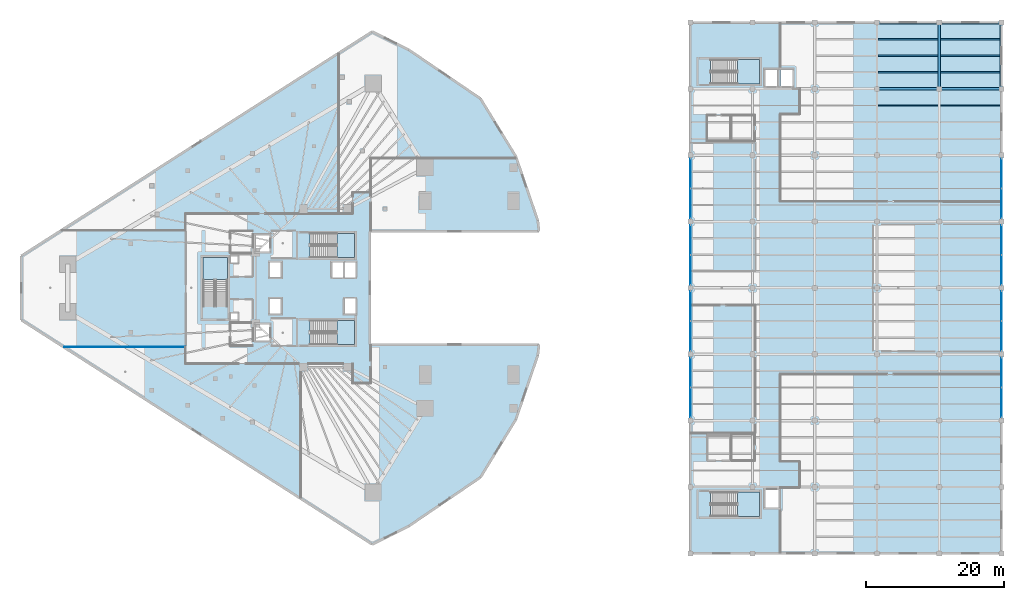
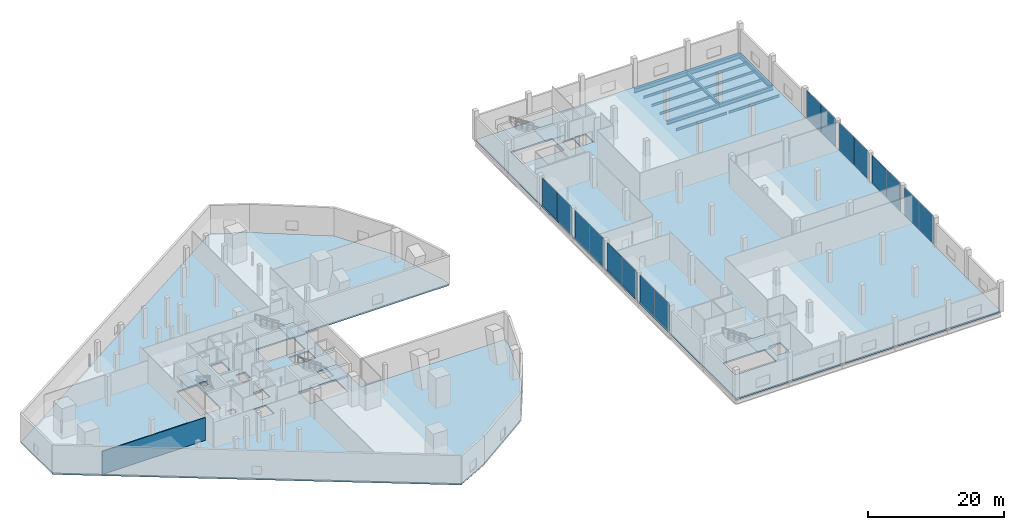
# One storey, part 25 of 47: 16 plates, 14 beams, 7 slabs, 1 wall, 13 elements without a shape of their own.
"""IFC4 building model written with IfcOpenShell, lengths in metres."""

import ifcopenshell
import ifcopenshell.guid

model = None  # the IFC model being written
_history = None  # IfcOwnerHistory: only IFC2X3 demands one
_inside = {}  # id of a spatial element -> (the spatial element, [elements in it])
_under = {}  # id of a project, library or spatial element -> (it, [spatial elements below it])
_declared = {}  # id of a project -> (the project, [libraries it declares])
_typed = {}  # id of a type object -> (the type object, [elements of that type])
_made_of = {}  # id of a material, layer set ... -> (it, [elements and type objects made of it])


def new_model(schema):
    """Start an empty IFC model of exactly this schema.

    Asked for "IFC4X3", IfcOpenShell would pick the latest addendum, in which some entities
    have other attributes; the version numbers below select the first issue.
    IFC2X3 requires an IfcOwnerHistory on every rooted entity: one is made here for all.
    """
    global model, _history
    if schema == "IFC4X3":
        model = ifcopenshell.file(schema_version=(4, 3, 0, 0))
    else:
        model = ifcopenshell.file(schema=schema)
    _inside.clear()
    _under.clear()
    _declared.clear()
    _typed.clear()
    _made_of.clear()
    _history = None
    if model.schema == "IFC2X3":
        org = make("IfcOrganization", Name="unknown")
        user = make(
            "IfcPersonAndOrganization",
            ThePerson=make("IfcPerson", FamilyName="unknown"),
            TheOrganization=org,
        )
        app = make(
            "IfcApplication",
            ApplicationDeveloper=org,
            Version="unknown",
            ApplicationFullName="unknown",
            ApplicationIdentifier="unknown",
        )
        _history = make(
            "IfcOwnerHistory",
            OwningUser=user,
            OwningApplication=app,
            ChangeAction="ADDED",
            CreationDate=0,
        )
    return model


def make(cls, **values):
    """One entity of the class cls with the attributes given. An attribute that is None is left unset."""
    return model.create_entity(
        cls, **{name: value for name, value in values.items() if value is not None}
    )


def rooted(cls, **values):
    """An entity with a GlobalId (a new one), such as an element, a storey or a relation."""
    return make(cls, GlobalId=ifcopenshell.guid.new(), OwnerHistory=_history, **values)


def si_unit(unit_type, name, prefix=None):
    """IfcSIUnit, for example si_unit("LENGTHUNIT", "METRE", prefix="MILLI")."""
    return make("IfcSIUnit", UnitType=unit_type, Prefix=prefix, Name=name)


def assignment(units):
    """IfcUnitAssignment: the units of a project."""
    return None if units is None else make("IfcUnitAssignment", Units=units)


def point(xyz):
    """IfcCartesianPoint."""
    return None if xyz is None else make("IfcCartesianPoint", Coordinates=xyz)


def direction(xyz):
    """IfcDirection."""
    return None if xyz is None else make("IfcDirection", DirectionRatios=xyz)


def frame(location, z_axis=None, x_axis=None):
    """IfcAxis2Placement3D, a coordinate frame: its origin and axes. An axis left out is left unset."""
    return make(
        "IfcAxis2Placement3D",
        Location=point(location),
        Axis=direction(z_axis),
        RefDirection=direction(x_axis),
    )


def frame_2d(location, x_axis=None):
    """IfcAxis2Placement2D, a coordinate frame in the plane: its origin and x axis."""
    return make(
        "IfcAxis2Placement2D", Location=point(location), RefDirection=direction(x_axis)
    )


def origin():
    """The frame at (0, 0, 0) with its axes left unset."""
    return frame((0.0, 0.0, 0.0))


def origin_2d():
    """The frame at (0, 0) in the plane with its x axis left unset."""
    return frame_2d((0.0, 0.0))


def place(relative_to, where):
    """IfcLocalPlacement: puts the frame where relative to a parent placement (None: the world)."""
    return make(
        "IfcLocalPlacement", PlacementRelTo=relative_to, RelativePlacement=where
    )


def context(
    kind, dimensions, precision=None, world=None, true_north=None, identifier=None
):
    """IfcGeometricRepresentationContext, for example the 3D "Model" context."""
    return make(
        "IfcGeometricRepresentationContext",
        ContextIdentifier=identifier,
        ContextType=kind,
        CoordinateSpaceDimension=dimensions,
        Precision=precision,
        WorldCoordinateSystem=world,
        TrueNorth=true_north,
    )


def subcontext(parent, identifier, kind, view, scale=None):
    """IfcGeometricRepresentationSubContext, for example "Body" below "Model"."""
    return make(
        "IfcGeometricRepresentationSubContext",
        ContextIdentifier=identifier,
        ContextType=kind,
        ParentContext=parent,
        TargetScale=scale,
        TargetView=view,
    )


def project(units=None, contexts=None):
    """IfcProject with its units and contexts."""
    return rooted(
        "IfcProject",
        Name="project",
        RepresentationContexts=contexts,
        UnitsInContext=assignment(units),
    )


def spatial(cls, under=None, at=None, **own):
    """A site, building, storey or space (cls), placed at a placement, below another one or the project."""
    s = rooted(cls, ObjectPlacement=at, **own)
    if under is not None:
        _under.setdefault(under.id(), (under, []))[1].append(s)
    return s


def polyline(points):
    """IfcPolyline through the points."""
    return make("IfcPolyline", Points=[point(p) for p in points])


def profile(cls, at=None, kind="AREA", **sizes):
    """A parametric profile (cls). Its sizes go by their IFC names, for example OverallWidth=200.0."""
    return make(cls, ProfileType=kind, Position=at, **sizes)


def rectangle(**sizes):
    """IfcRectangleProfileDef."""
    return profile("IfcRectangleProfileDef", **sizes)


def i_section(**sizes):
    """IfcIShapeProfileDef."""
    return profile("IfcIShapeProfileDef", **sizes)


def outline(outer, holes=None, kind="AREA"):
    """IfcArbitraryClosedProfileDef: a profile drawn as a closed curve; with holes, ...WithVoids."""
    if holes is None:
        return make("IfcArbitraryClosedProfileDef", ProfileType=kind, OuterCurve=outer)
    return make(
        "IfcArbitraryProfileDefWithVoids",
        ProfileType=kind,
        OuterCurve=outer,
        InnerCurves=holes,
    )


def extrude(swept, where, along, depth):
    """IfcExtrudedAreaSolid: the profile swept, set in the frame where, extruded along a direction by depth."""
    return make(
        "IfcExtrudedAreaSolid",
        SweptArea=swept,
        Position=where,
        ExtrudedDirection=direction(along),
        Depth=depth,
    )


def shape(context_of_items, identifier, shape_type, items):
    """IfcShapeRepresentation: the items that make up one representation, for example the "Body"."""
    return make(
        "IfcShapeRepresentation",
        ContextOfItems=context_of_items,
        RepresentationIdentifier=identifier,
        RepresentationType=shape_type,
        Items=items,
    )


def material(Name=None, Category=None):
    """IfcMaterial."""
    return make("IfcMaterial", Name=Name, Category=Category)


def layer(
    of_material, thickness, ventilated=None, Name=None, Category=None, Priority=None
):
    """IfcMaterialLayer: one layer of a wall or slab, of a material (None: an air gap)."""
    return make(
        "IfcMaterialLayer",
        Material=of_material,
        LayerThickness=thickness,
        IsVentilated=ventilated,
        Name=Name,
        Category=Category,
        Priority=Priority,
    )


def layer_set(layers, Name=None):
    """IfcMaterialLayerSet."""
    return make("IfcMaterialLayerSet", MaterialLayers=layers, LayerSetName=Name)


def material_profile(
    of_material, cross_section, Name=None, Category=None, Priority=None
):
    """IfcMaterialProfile: a cross section and its material."""
    return make(
        "IfcMaterialProfile",
        Name=Name,
        Material=of_material,
        Profile=cross_section,
        Priority=Priority,
        Category=Category,
    )


def profile_set(profiles, Name=None, composite=None):
    """IfcMaterialProfileSet."""
    return make(
        "IfcMaterialProfileSet",
        Name=Name,
        MaterialProfiles=profiles,
        CompositeProfile=composite,
    )


def made_of(thing, what):
    """Note that an element or type object is made of a material, layer set ...; save() writes the relation."""
    if what is not None:
        _made_of.setdefault(what.id(), (what, []))[1].append(thing)
    return thing


def type_object(cls, material=None, **own):
    """A type object (cls), such as IfcWallType, which elements share."""
    return made_of(rooted(cls, **own), material)


def element(
    cls,
    number,
    at=None,
    inside=None,
    cuts=None,
    type_object=None,
    material=None,
    context=None,
    identifier="Body",
    shape_type=None,
    held_by="IfcProductDefinitionShape",
    body=None,
    shapes=None,
    **own,
):
    """One element of the class cls, such as IfcWall. Its Tag is "e" and its number.

    at: its placement. inside: the storey or other place that contains it. cuts: it is an
    opening in that element (IfcRelVoidsElement). A single representation is given by context,
    identifier, shape_type and body (its items); several are given by shapes. held_by: the class
    of the entity that holds the representations. save() writes the other relations.
    """
    e = rooted(cls, Tag="e%d" % number, ObjectPlacement=at, **own)
    if body is not None:
        shapes = [shape(context, identifier, shape_type, body)]
    if shapes is not None:
        e.Representation = make(held_by, Representations=shapes)
    if inside is not None:
        _inside.setdefault(inside.id(), (inside, []))[1].append(e)
    if cuts is not None:
        rooted(
            "IfcRelVoidsElement", RelatingBuildingElement=cuts, RelatedOpeningElement=e
        )
    if type_object is not None:
        _typed.setdefault(type_object.id(), (type_object, []))[1].append(e)
    return made_of(e, material)


def aggregate(whole, parts):
    """IfcRelAggregates: a whole, such as a stair, and the parts it consists of."""
    return rooted("IfcRelAggregates", RelatingObject=whole, RelatedObjects=parts)


def save(model, path):
    """Write the relations noted so far, then the file.

    IfcRelAggregates (storeys below a building ...), IfcRelContainedInSpatialStructure (elements
    in a storey), IfcRelDefinesByType, IfcRelAssociatesMaterial and IfcRelDeclares: one each for
    every whole, place, type object, material and project.
    """
    for whole, parts in _under.values():
        aggregate(whole, parts)
    for where, things in _inside.values():
        rooted(
            "IfcRelContainedInSpatialStructure",
            RelatedElements=things,
            RelatingStructure=where,
        )
    for kind, things in _typed.values():
        rooted("IfcRelDefinesByType", RelatedObjects=things, RelatingType=kind)
    for what, things in _made_of.values():
        rooted("IfcRelAssociatesMaterial", RelatedObjects=things, RelatingMaterial=what)
    for by, libraries in _declared.values():
        rooted("IfcRelDeclares", RelatingContext=by, RelatedDefinitions=libraries)
    model.write(path)


model = new_model("IFC4")

# Units and contexts
model_context = context("Model", 3, precision=1e-05, world=origin(), true_north=direction((0.0, 1.0)))
body_context = subcontext(model_context, "Body", "Model", "MODEL_VIEW")
ifc_project = project(units=[si_unit("LENGTHUNIT", "METRE"), si_unit("AREAUNIT", "SQUARE_METRE"), si_unit("VOLUMEUNIT", "CUBIC_METRE"), si_unit("PLANEANGLEUNIT", "RADIAN"), si_unit("MASSUNIT", "GRAM", prefix="KILO")], contexts=[model_context])

# Site, building, storey
site_placement = place(None, origin())
site = spatial("IfcSite", under=ifc_project, at=site_placement, CompositionType="ELEMENT")
building_placement = place(site_placement, origin())
building = spatial("IfcBuilding", under=site, at=building_placement, Name="Qorvath Tower", CompositionType="ELEMENT")
storey_placement = place(building_placement, frame((0.0, 0.0, 6.60009765625)))
storey = spatial("IfcBuildingStorey", under=building, at=storey_placement, Name="L01", CompositionType="ELEMENT", Elevation=6.60009765625)

# Beams
ifc_material_1 = material(Name="Steel ASTM A992 Grade 50", Category="steel")
ifc_material_profile_1 = material_profile(ifc_material_1, i_section(OverallWidth=0.381103515625, OverallDepth=0.77294921875, WebThickness=0.0166015625, FlangeThickness=0.027099609375, FilletRadius=0.01904296875, at=origin_2d()), Name="W30x173")
ifc_profile_set_1 = profile_set([ifc_material_profile_1], Name="Steel ASTM A992 Grade 50")
beam_type_1 = type_object("IfcBeamType", Name="BM-FG3", PredefinedType="BEAM", material=ifc_profile_set_1)
for number, where, z_axis, x_axis, name in (
    (1, (59.39990234375, 38.39990234375, -0.646484375), (1.0, 0.0, 0.0), (0.0, 1.0, 0.0), "Library E-W Girder L01-9-4"),
    (2, (68.39990234375, 38.39990234375, -0.646484375), (1.0, 0.0, 0.0), (0.0, 1.0, 0.0), "Library E-W Girder L01-9-5"),
):
    element("IfcBeam", number, at=place(storey_placement, frame(where, z_axis=z_axis, x_axis=x_axis)), inside=storey, type_object=beam_type_1, Name=name, PredefinedType="BEAM", context=body_context, shape_type="SweptSolid", body=[
        extrude(i_section(OverallWidth=0.381103515625, OverallDepth=0.77294921875, WebThickness=0.0166015625, FlangeThickness=0.027099609375, FilletRadius=0.01904296875, at=origin_2d()), origin(), (0.0, 0.0, 1.0), 9.0),
    ])
beam_1_placement = place(storey_placement, frame((77.39990234375, 28.800048828125, -0.646484375), z_axis=(0.0, 1.0, 0.0), x_axis=(-1.0, 0.0, 0.0)))
element("IfcBeam", 3, at=beam_1_placement, inside=storey, type_object=beam_type_1, Name="Library N-S Girder L01-6-8", PredefinedType="BEAM", context=body_context, shape_type="SweptSolid", body=[
    extrude(i_section(OverallWidth=0.381103515625, OverallDepth=0.77294921875, WebThickness=0.0166015625, FlangeThickness=0.027099609375, FilletRadius=0.01904296875, at=origin_2d()), origin(), (0.0, 0.0, 1.0), 9.599853515625),
])
ifc_material_2 = material(Name="Steel ASTM A992 Grade 50", Category="steel")
ifc_material_profile_2 = material_profile(ifc_material_2, i_section(OverallWidth=0.35595703125, OverallDepth=0.696044921875, WebThickness=0.015380859375, FlangeThickness=0.02490234375, FilletRadius=0.01806640625, at=origin_2d()), Name="W27x146")
ifc_profile_set_2 = profile_set([ifc_material_profile_2], Name="Steel ASTM A992 Grade 50")
beam_type_2 = type_object("IfcBeamType", Name="BM-FG4", PredefinedType="BEAM", material=ifc_profile_set_2)
for number, where, z_axis, x_axis, name in (
    (4, (59.39990234375, 28.800048828125, -0.60791015625), (1.0, 0.0, 0.0), (0.0, 1.0, 0.0), "Library E-W Girder L01-8-4"),
    (5, (68.39990234375, 28.800048828125, -0.60791015625), (1.0, 0.0, 0.0), (0.0, 1.0, 0.0), "Library E-W Girder L01-8-5"),
):
    element("IfcBeam", number, at=place(storey_placement, frame(where, z_axis=z_axis, x_axis=x_axis)), inside=storey, type_object=beam_type_2, Name=name, PredefinedType="BEAM", context=body_context, shape_type="SweptSolid", body=[
        extrude(i_section(OverallWidth=0.35595703125, OverallDepth=0.696044921875, WebThickness=0.015380859375, FlangeThickness=0.02490234375, FilletRadius=0.01806640625, at=origin_2d()), origin(), (0.0, 0.0, 1.0), 9.0),
    ])
ifc_material_3 = material(Name="Steel ASTM A992 Grade 50", Category="steel")
ifc_material_profile_3 = material_profile(ifc_material_3, i_section(OverallWidth=0.324951171875, OverallDepth=0.615966796875, WebThickness=0.013916015625, FlangeThickness=0.021484375, FilletRadius=0.01611328125, at=origin_2d()), Name="W24x117")
ifc_profile_set_3 = profile_set([ifc_material_profile_3], Name="Steel ASTM A992 Grade 50")
beam_type_3 = type_object("IfcBeamType", Name="BM-FG5", PredefinedType="BEAM", material=ifc_profile_set_3)
beam_2_placement = place(storey_placement, frame((68.39990234375, 28.800048828125, -0.568115234375), z_axis=(0.0, 1.0, 0.0), x_axis=(-1.0, 0.0, 0.0)))
element("IfcBeam", 6, at=beam_2_placement, inside=storey, type_object=beam_type_3, Name="Library N-S Girder L01-5-8", PredefinedType="BEAM", context=body_context, shape_type="SweptSolid", body=[
    extrude(i_section(OverallWidth=0.324951171875, OverallDepth=0.615966796875, WebThickness=0.013916015625, FlangeThickness=0.021484375, FilletRadius=0.01611328125, at=origin_2d()), origin(), (0.0, 0.0, 1.0), 9.599853515625),
])
ifc_material_4 = material(Name="Steel ASTM A992 Grade 50", Category="steel")
ifc_material_profile_4 = material_profile(ifc_material_4, i_section(OverallWidth=0.18994140625, OverallDepth=0.45703125, WebThickness=0.009033203125, FlangeThickness=0.014404296875, FilletRadius=0.011962890625, at=origin_2d()), Name="W18x50")
ifc_profile_set_4 = profile_set([ifc_material_profile_4], Name="Steel ASTM A992 Grade 50")
beam_type_4 = type_object("IfcBeamType", Name="BM-FJ2", PredefinedType="JOIST", material=ifc_profile_set_4)
beam_3_placement = place(storey_placement, frame((59.560546875, 26.39990234375, -0.488525390625), z_axis=(1.0, 0.0, 0.0), x_axis=(0.0, 1.0, 0.0)))
element("IfcBeam", 7, at=beam_3_placement, inside=storey, type_object=beam_type_4, Name="Library Stack Joist L01-7.3-4", PredefinedType="JOIST", context=body_context, shape_type="SweptSolid", body=[
    extrude(i_section(OverallWidth=0.18994140625, OverallDepth=0.45703125, WebThickness=0.009033203125, FlangeThickness=0.014404296875, FilletRadius=0.011962890625, at=origin_2d()), origin(), (0.0, 0.0, 1.0), 8.678955078125),
])
beam_4_placement = place(storey_placement, frame((68.560546875, 26.39990234375, -0.488525390625), z_axis=(1.0, 0.0, 0.0), x_axis=(0.0, 1.0, 0.0)))
element("IfcBeam", 8, at=beam_4_placement, inside=storey, type_object=beam_type_4, Name="Library Stack Joist L01-7.3-5", PredefinedType="JOIST", context=body_context, shape_type="SweptSolid", body=[
    extrude(i_section(OverallWidth=0.18994140625, OverallDepth=0.45703125, WebThickness=0.009033203125, FlangeThickness=0.014404296875, FilletRadius=0.011962890625, at=origin_2d()), origin(), (0.0, 0.0, 1.0), 8.65087890625),
])
beam_5_placement = place(storey_placement, frame((59.560546875, 31.199951171875, -0.488525390625), z_axis=(1.0, 0.0, 0.0), x_axis=(0.0, 1.0, 0.0)))
element("IfcBeam", 9, at=beam_5_placement, inside=storey, type_object=beam_type_4, Name="Library Stack Joist L01-8.1-4", PredefinedType="JOIST", context=body_context, shape_type="SweptSolid", body=[
    extrude(i_section(OverallWidth=0.18994140625, OverallDepth=0.45703125, WebThickness=0.009033203125, FlangeThickness=0.014404296875, FilletRadius=0.011962890625, at=origin_2d()), origin(), (0.0, 0.0, 1.0), 8.678955078125),
])
beam_6_placement = place(storey_placement, frame((68.560546875, 31.199951171875, -0.488525390625), z_axis=(1.0, 0.0, 0.0), x_axis=(0.0, 1.0, 0.0)))
element("IfcBeam", 10, at=beam_6_placement, inside=storey, type_object=beam_type_4, Name="Library Stack Joist L01-8.1-5", PredefinedType="JOIST", context=body_context, shape_type="SweptSolid", body=[
    extrude(i_section(OverallWidth=0.18994140625, OverallDepth=0.45703125, WebThickness=0.009033203125, FlangeThickness=0.014404296875, FilletRadius=0.011962890625, at=origin_2d()), origin(), (0.0, 0.0, 1.0), 8.65087890625),
])
beam_7_placement = place(storey_placement, frame((59.560546875, 33.60009765625, -0.488525390625), z_axis=(1.0, 0.0, 0.0), x_axis=(0.0, 1.0, 0.0)))
element("IfcBeam", 11, at=beam_7_placement, inside=storey, type_object=beam_type_4, Name="Library Stack Joist L01-8.2-4", PredefinedType="JOIST", context=body_context, shape_type="SweptSolid", body=[
    extrude(i_section(OverallWidth=0.18994140625, OverallDepth=0.45703125, WebThickness=0.009033203125, FlangeThickness=0.014404296875, FilletRadius=0.011962890625, at=origin_2d()), origin(), (0.0, 0.0, 1.0), 8.678955078125),
])
beam_8_placement = place(storey_placement, frame((68.560546875, 33.60009765625, -0.488525390625), z_axis=(1.0, 0.0, 0.0), x_axis=(0.0, 1.0, 0.0)))
element("IfcBeam", 12, at=beam_8_placement, inside=storey, type_object=beam_type_4, Name="Library Stack Joist L01-8.2-5", PredefinedType="JOIST", context=body_context, shape_type="SweptSolid", body=[
    extrude(i_section(OverallWidth=0.18994140625, OverallDepth=0.45703125, WebThickness=0.009033203125, FlangeThickness=0.014404296875, FilletRadius=0.011962890625, at=origin_2d()), origin(), (0.0, 0.0, 1.0), 8.65087890625),
])
beam_9_placement = place(storey_placement, frame((59.560546875, 36.0, -0.488525390625), z_axis=(1.0, 0.0, 0.0), x_axis=(0.0, 1.0, 0.0)))
element("IfcBeam", 13, at=beam_9_placement, inside=storey, type_object=beam_type_4, Name="Library Stack Joist L01-8.3-4", PredefinedType="JOIST", context=body_context, shape_type="SweptSolid", body=[
    extrude(i_section(OverallWidth=0.18994140625, OverallDepth=0.45703125, WebThickness=0.009033203125, FlangeThickness=0.014404296875, FilletRadius=0.011962890625, at=origin_2d()), origin(), (0.0, 0.0, 1.0), 8.678955078125),
])
beam_10_placement = place(storey_placement, frame((68.560546875, 36.0, -0.488525390625), z_axis=(1.0, 0.0, 0.0), x_axis=(0.0, 1.0, 0.0)))
element("IfcBeam", 14, at=beam_10_placement, inside=storey, type_object=beam_type_4, Name="Library Stack Joist L01-8.3-5", PredefinedType="JOIST", context=body_context, shape_type="SweptSolid", body=[
    extrude(i_section(OverallWidth=0.18994140625, OverallDepth=0.45703125, WebThickness=0.009033203125, FlangeThickness=0.014404296875, FilletRadius=0.011962890625, at=origin_2d()), origin(), (0.0, 0.0, 1.0), 8.65087890625),
])

# Curtain wall, plates
ifc_material_5 = material(Name="Anodised aluminium and triple low-E glass", Category="aluminium")
ifc_layer_1 = layer(ifc_material_5, 0.179931640625)
ifc_layer_set_1 = layer_set([ifc_layer_1], Name="CW-SYS-6")
curtain_wall_type = type_object("IfcCurtainWallType", Name="CW-SYS-6", PredefinedType="NOTDEFINED", material=ifc_layer_set_1)
curtain_wall_1_placement = place(storey_placement, origin())
curtain_wall_1 = element("IfcCurtainWall", 15, at=curtain_wall_1_placement, inside=storey, type_object=curtain_wall_type, Name="Curtain Wall CW-6 CW-LIB-W-L01-3", PredefinedType="NOTDEFINED")
ifc_material_6 = material(Name="Low-E triple insulated glass", Category="glass")
ifc_layer_2 = layer(ifc_material_6, 0.031982421875)
ifc_layer_set_2 = layer_set([ifc_layer_2], Name="CWP-GLZ-32")
plate_type = type_object("IfcPlateType", Name="CWP-GLZ-32", PredefinedType="CURTAIN_PANEL", material=ifc_layer_set_2)
plate_1_placement = place(storey_placement, frame((32.39990234375, -16.570068359375, 0.06494140625), z_axis=(0.0, 0.0, 1.0), x_axis=(0.0, 1.0, 0.0)))
plate_1 = element("IfcPlate", 16, at=plate_1_placement, type_object=plate_type, Name="CW-6 panel 1.1", PredefinedType="CURTAIN_PANEL", context=body_context, shape_type="SweptSolid", body=[
    extrude(rectangle(XDim=4.260009765625, YDim=0.031982421875, at=origin_2d()), origin(), (0.0, 0.0, 1.0), 5.010009765625),
])
plate_2_placement = place(storey_placement, frame((32.39990234375, -12.22998046875, 0.06494140625), z_axis=(0.0, 0.0, 1.0), x_axis=(0.0, 1.0, 0.0)))
plate_2 = element("IfcPlate", 17, at=plate_2_placement, type_object=plate_type, Name="CW-6 panel 2.1", PredefinedType="CURTAIN_PANEL", context=body_context, shape_type="SweptSolid", body=[
    extrude(rectangle(XDim=4.260009765625, YDim=0.031982421875, at=origin_2d()), origin(), (0.0, 0.0, 1.0), 5.010009765625),
])
aggregate(curtain_wall_1, [plate_1, plate_2])

curtain_wall_2_placement = place(storey_placement, origin())
curtain_wall_2 = element("IfcCurtainWall", 18, at=curtain_wall_2_placement, inside=storey, type_object=curtain_wall_type, Name="Curtain Wall CW-6 CW-LIB-W-L01-4", PredefinedType="NOTDEFINED")
plate_3_placement = place(storey_placement, frame((32.39990234375, -6.969970703125, 0.06494140625), z_axis=(0.0, 0.0, 1.0), x_axis=(0.0, 1.0, 0.0)))
plate_3 = element("IfcPlate", 19, at=plate_3_placement, type_object=plate_type, Name="CW-6 panel 1.1", PredefinedType="CURTAIN_PANEL", context=body_context, shape_type="SweptSolid", body=[
    extrude(rectangle(XDim=4.260009765625, YDim=0.031982421875, at=origin_2d()), origin(), (0.0, 0.0, 1.0), 5.010009765625),
])
plate_4_placement = place(storey_placement, frame((32.39990234375, -2.6298828125, 0.06494140625), z_axis=(0.0, 0.0, 1.0), x_axis=(0.0, 1.0, 0.0)))
plate_4 = element("IfcPlate", 20, at=plate_4_placement, type_object=plate_type, Name="CW-6 panel 2.1", PredefinedType="CURTAIN_PANEL", context=body_context, shape_type="SweptSolid", body=[
    extrude(rectangle(XDim=4.260009765625, YDim=0.031982421875, at=origin_2d()), origin(), (0.0, 0.0, 1.0), 5.010009765625),
])
aggregate(curtain_wall_2, [plate_3, plate_4])

curtain_wall_3_placement = place(storey_placement, origin())
curtain_wall_3 = element("IfcCurtainWall", 21, at=curtain_wall_3_placement, inside=storey, type_object=curtain_wall_type, Name="Curtain Wall CW-6 CW-LIB-W-L01-5", PredefinedType="NOTDEFINED")
plate_5_placement = place(storey_placement, frame((32.39990234375, 2.6298828125, 0.06494140625), z_axis=(0.0, 0.0, 1.0), x_axis=(0.0, 1.0, 0.0)))
plate_5 = element("IfcPlate", 22, at=plate_5_placement, type_object=plate_type, Name="CW-6 panel 1.1", PredefinedType="CURTAIN_PANEL", context=body_context, shape_type="SweptSolid", body=[
    extrude(rectangle(XDim=4.260009765625, YDim=0.031982421875, at=origin_2d()), origin(), (0.0, 0.0, 1.0), 5.010009765625),
])
plate_6_placement = place(storey_placement, frame((32.39990234375, 6.969970703125, 0.06494140625), z_axis=(0.0, 0.0, 1.0), x_axis=(0.0, 1.0, 0.0)))
plate_6 = element("IfcPlate", 23, at=plate_6_placement, type_object=plate_type, Name="CW-6 panel 2.1", PredefinedType="CURTAIN_PANEL", context=body_context, shape_type="SweptSolid", body=[
    extrude(rectangle(XDim=4.260009765625, YDim=0.031982421875, at=origin_2d()), origin(), (0.0, 0.0, 1.0), 5.010009765625),
])
aggregate(curtain_wall_3, [plate_5, plate_6])

curtain_wall_4_placement = place(storey_placement, origin())
curtain_wall_4 = element("IfcCurtainWall", 24, at=curtain_wall_4_placement, inside=storey, type_object=curtain_wall_type, Name="Curtain Wall CW-6 CW-LIB-W-L01-6", PredefinedType="NOTDEFINED")
plate_7_placement = place(storey_placement, frame((32.39990234375, 12.22998046875, 0.06494140625), z_axis=(0.0, 0.0, 1.0), x_axis=(0.0, 1.0, 0.0)))
plate_7 = element("IfcPlate", 25, at=plate_7_placement, type_object=plate_type, Name="CW-6 panel 1.1", PredefinedType="CURTAIN_PANEL", context=body_context, shape_type="SweptSolid", body=[
    extrude(rectangle(XDim=4.260009765625, YDim=0.031982421875, at=origin_2d()), origin(), (0.0, 0.0, 1.0), 5.010009765625),
])
plate_8_placement = place(storey_placement, frame((32.39990234375, 16.570068359375, 0.06494140625), z_axis=(0.0, 0.0, 1.0), x_axis=(0.0, 1.0, 0.0)))
plate_8 = element("IfcPlate", 26, at=plate_8_placement, type_object=plate_type, Name="CW-6 panel 2.1", PredefinedType="CURTAIN_PANEL", context=body_context, shape_type="SweptSolid", body=[
    extrude(rectangle(XDim=4.260009765625, YDim=0.031982421875, at=origin_2d()), origin(), (0.0, 0.0, 1.0), 5.010009765625),
])
aggregate(curtain_wall_4, [plate_7, plate_8])

curtain_wall_5_placement = place(storey_placement, origin())
curtain_wall_5 = element("IfcCurtainWall", 27, at=curtain_wall_5_placement, inside=storey, type_object=curtain_wall_type, Name="Curtain Wall CW-6 CW-LIB-E-L01-3", PredefinedType="NOTDEFINED")
plate_9_placement = place(storey_placement, frame((77.39990234375, -16.570068359375, 0.06494140625), z_axis=(0.0, 0.0, 1.0), x_axis=(0.0, 1.0, 0.0)))
plate_9 = element("IfcPlate", 28, at=plate_9_placement, type_object=plate_type, Name="CW-6 panel 1.1", PredefinedType="CURTAIN_PANEL", context=body_context, shape_type="SweptSolid", body=[
    extrude(rectangle(XDim=4.260009765625, YDim=0.031982421875, at=origin_2d()), origin(), (0.0, 0.0, 1.0), 5.010009765625),
])
plate_10_placement = place(storey_placement, frame((77.39990234375, -12.22998046875, 0.06494140625), z_axis=(0.0, 0.0, 1.0), x_axis=(0.0, 1.0, 0.0)))
plate_10 = element("IfcPlate", 29, at=plate_10_placement, type_object=plate_type, Name="CW-6 panel 2.1", PredefinedType="CURTAIN_PANEL", context=body_context, shape_type="SweptSolid", body=[
    extrude(rectangle(XDim=4.260009765625, YDim=0.031982421875, at=origin_2d()), origin(), (0.0, 0.0, 1.0), 5.010009765625),
])
aggregate(curtain_wall_5, [plate_9, plate_10])

curtain_wall_6_placement = place(storey_placement, origin())
curtain_wall_6 = element("IfcCurtainWall", 30, at=curtain_wall_6_placement, inside=storey, type_object=curtain_wall_type, Name="Curtain Wall CW-6 CW-LIB-E-L01-4", PredefinedType="NOTDEFINED")
plate_11_placement = place(storey_placement, frame((77.39990234375, -6.969970703125, 0.06494140625), z_axis=(0.0, 0.0, 1.0), x_axis=(0.0, 1.0, 0.0)))
plate_11 = element("IfcPlate", 31, at=plate_11_placement, type_object=plate_type, Name="CW-6 panel 1.1", PredefinedType="CURTAIN_PANEL", context=body_context, shape_type="SweptSolid", body=[
    extrude(rectangle(XDim=4.260009765625, YDim=0.031982421875, at=origin_2d()), origin(), (0.0, 0.0, 1.0), 5.010009765625),
])
plate_12_placement = place(storey_placement, frame((77.39990234375, -2.6298828125, 0.06494140625), z_axis=(0.0, 0.0, 1.0), x_axis=(0.0, 1.0, 0.0)))
plate_12 = element("IfcPlate", 32, at=plate_12_placement, type_object=plate_type, Name="CW-6 panel 2.1", PredefinedType="CURTAIN_PANEL", context=body_context, shape_type="SweptSolid", body=[
    extrude(rectangle(XDim=4.260009765625, YDim=0.031982421875, at=origin_2d()), origin(), (0.0, 0.0, 1.0), 5.010009765625),
])
aggregate(curtain_wall_6, [plate_11, plate_12])

curtain_wall_7_placement = place(storey_placement, origin())
curtain_wall_7 = element("IfcCurtainWall", 33, at=curtain_wall_7_placement, inside=storey, type_object=curtain_wall_type, Name="Curtain Wall CW-6 CW-LIB-E-L01-5", PredefinedType="NOTDEFINED")
plate_13_placement = place(storey_placement, frame((77.39990234375, 2.6298828125, 0.06494140625), z_axis=(0.0, 0.0, 1.0), x_axis=(0.0, 1.0, 0.0)))
plate_13 = element("IfcPlate", 34, at=plate_13_placement, type_object=plate_type, Name="CW-6 panel 1.1", PredefinedType="CURTAIN_PANEL", context=body_context, shape_type="SweptSolid", body=[
    extrude(rectangle(XDim=4.260009765625, YDim=0.031982421875, at=origin_2d()), origin(), (0.0, 0.0, 1.0), 5.010009765625),
])
plate_14_placement = place(storey_placement, frame((77.39990234375, 6.969970703125, 0.06494140625), z_axis=(0.0, 0.0, 1.0), x_axis=(0.0, 1.0, 0.0)))
plate_14 = element("IfcPlate", 35, at=plate_14_placement, type_object=plate_type, Name="CW-6 panel 2.1", PredefinedType="CURTAIN_PANEL", context=body_context, shape_type="SweptSolid", body=[
    extrude(rectangle(XDim=4.260009765625, YDim=0.031982421875, at=origin_2d()), origin(), (0.0, 0.0, 1.0), 5.010009765625),
])
aggregate(curtain_wall_7, [plate_13, plate_14])

curtain_wall_8_placement = place(storey_placement, origin())
curtain_wall_8 = element("IfcCurtainWall", 36, at=curtain_wall_8_placement, inside=storey, type_object=curtain_wall_type, Name="Curtain Wall CW-6 CW-LIB-E-L01-6", PredefinedType="NOTDEFINED")
plate_15_placement = place(storey_placement, frame((77.39990234375, 12.22998046875, 0.06494140625), z_axis=(0.0, 0.0, 1.0), x_axis=(0.0, 1.0, 0.0)))
plate_15 = element("IfcPlate", 37, at=plate_15_placement, type_object=plate_type, Name="CW-6 panel 1.1", PredefinedType="CURTAIN_PANEL", context=body_context, shape_type="SweptSolid", body=[
    extrude(rectangle(XDim=4.260009765625, YDim=0.031982421875, at=origin_2d()), origin(), (0.0, 0.0, 1.0), 5.010009765625),
])
plate_16_placement = place(storey_placement, frame((77.39990234375, 16.570068359375, 0.06494140625), z_axis=(0.0, 0.0, 1.0), x_axis=(0.0, 1.0, 0.0)))
plate_16 = element("IfcPlate", 38, at=plate_16_placement, type_object=plate_type, Name="CW-6 panel 2.1", PredefinedType="CURTAIN_PANEL", context=body_context, shape_type="SweptSolid", body=[
    extrude(rectangle(XDim=4.260009765625, YDim=0.031982421875, at=origin_2d()), origin(), (0.0, 0.0, 1.0), 5.010009765625),
])
aggregate(curtain_wall_8, [plate_15, plate_16])

# Slab
ifc_material_7 = material(Name="Concrete C45/55", Category="concrete")
ifc_layer_3 = layer(ifc_material_7, 0.260009765625)
ifc_layer_set_3 = layer_set([ifc_layer_3], Name="SL-LIB-STK-260")
slab_type_1 = type_object("IfcSlabType", Name="SL-LIB-STK-260", PredefinedType="FLOOR", material=ifc_layer_set_3)
slab_1_placement = place(storey_placement, frame((0.0, 0.0, -0.260009765625)))
element("IfcSlab", 39, at=slab_1_placement, inside=storey, type_object=slab_type_1, Name="Central Library L01 Floor Slab", PredefinedType="FLOOR", context=body_context, shape_type="SweptSolid", body=[
    extrude(outline(polyline([(77.39990234375, -38.39990234375), (77.39990234375, 38.39990234375), (32.39990234375, 38.39990234375), (32.39990234375, -38.39990234375), (77.39990234375, -38.39990234375)]), holes=[polyline([(47.199951171875, 29.199951171875), (45.39990234375, 29.199951171875), (45.39990234375, 31.60009765625), (47.199951171875, 31.60009765625), (47.199951171875, 29.199951171875)]), polyline([(45.199951171875, -29.199951171875), (45.199951171875, -31.800048828125), (43.199951171875, -31.800048828125), (43.199951171875, -29.199951171875), (45.199951171875, -29.199951171875)]), polyline([(45.0, 31.60009765625), (45.0, 29.199951171875), (43.199951171875, 29.199951171875), (43.199951171875, 31.60009765625), (45.0, 31.60009765625)]), polyline([(42.35498046875, -29.5400390625), (42.35498046875, -33.050048828125), (35.324951171875, -33.050048828125), (35.324951171875, -29.5400390625), (42.35498046875, -29.5400390625)]), polyline([(42.35498046875, 29.550048828125), (35.324951171875, 29.550048828125), (35.324951171875, 33.06005859375), (42.35498046875, 33.06005859375), (42.35498046875, 29.550048828125)])]), origin(), (0.0, 0.0, 1.0), 0.260009765625),
])

# Stair, slab
ifc_material_8 = material(Name="Concrete C50/60", Category="concrete")
stair_type = type_object("IfcStairType", Name="ST-H540", PredefinedType="HALF_TURN_STAIR", material=ifc_material_8)
stair_1_placement = place(storey_placement, origin())
stair_1 = element("IfcStair", 40, at=stair_1_placement, inside=storey, type_object=stair_type, Name="L01 Library Exit Stair 1", PredefinedType="HALF_TURN_STAIR")
ifc_material_9 = material(Name="Concrete C50/60", Category="concrete")
ifc_layer_4 = layer(ifc_material_9, 0.199951171875)
ifc_layer_set_4 = layer_set([ifc_layer_4], Name="SL-LND-200")
slab_type_2 = type_object("IfcSlabType", Name="SL-LND-200", PredefinedType="LANDING", material=ifc_layer_set_4)
slab_2_placement = place(storey_placement, frame((0.0, 0.0, 2.5)))
slab_2 = element("IfcSlab", 41, at=slab_2_placement, type_object=slab_type_2, Name="LS1 landing 1", PredefinedType="LANDING", context=body_context, shape_type="SweptSolid", body=[
    extrude(outline(polyline([(39.199951171875, 29.550048828125), (42.39990234375, 29.550048828125), (42.39990234375, 33.06005859375), (39.199951171875, 33.06005859375), (39.199951171875, 29.550048828125)])), origin(), (0.0, 0.0, 1.0), 0.199951171875),
])
aggregate(stair_1, [slab_2])

stair_2_placement = place(storey_placement, origin())
stair_2 = element("IfcStair", 42, at=stair_2_placement, inside=storey, type_object=stair_type, Name="L01 Library Exit Stair 2", PredefinedType="HALF_TURN_STAIR")
slab_3_placement = place(storey_placement, frame((0.0, 0.0, 2.5)))
slab_3 = element("IfcSlab", 43, at=slab_3_placement, type_object=slab_type_2, Name="LS2 landing 1", PredefinedType="LANDING", context=body_context, shape_type="SweptSolid", body=[
    extrude(outline(polyline([(39.199951171875, -33.050048828125), (42.39990234375, -33.050048828125), (42.39990234375, -29.5400390625), (39.199951171875, -29.5400390625), (39.199951171875, -33.050048828125)])), origin(), (0.0, 0.0, 1.0), 0.199951171875),
])
aggregate(stair_2, [slab_3])

stair_3_placement = place(storey_placement, origin())
stair_3 = element("IfcStair", 44, at=stair_3_placement, inside=storey, type_object=stair_type, Name="L01 Tower Exit Stair 1", PredefinedType="HALF_TURN_STAIR")
slab_4_placement = place(storey_placement, frame((0.0, 0.0, 2.5)))
slab_4 = element("IfcSlab", 45, at=slab_4_placement, type_object=slab_type_2, Name="TS1 landing 1", PredefinedType="LANDING", context=body_context, shape_type="SweptSolid", body=[
    extrude(outline(polyline([(-18.75, 4.39990234375), (-16.199951171875, 4.39990234375), (-16.199951171875, 7.909912109375), (-18.75, 7.909912109375), (-18.75, 4.39990234375)])), origin(), (0.0, 0.0, 1.0), 0.199951171875),
])
aggregate(stair_3, [slab_4])

stair_4_placement = place(storey_placement, origin())
stair_4 = element("IfcStair", 46, at=stair_4_placement, inside=storey, type_object=stair_type, Name="L01 Tower Exit Stair 2", PredefinedType="HALF_TURN_STAIR")
slab_5_placement = place(storey_placement, frame((0.0, 0.0, 2.5)))
slab_5 = element("IfcSlab", 47, at=slab_5_placement, type_object=slab_type_2, Name="TS2 landing 1", PredefinedType="LANDING", context=body_context, shape_type="SweptSolid", body=[
    extrude(outline(polyline([(-18.75, -8.199951171875), (-16.199951171875, -8.199951171875), (-16.199951171875, -4.68994140625), (-18.75, -4.68994140625), (-18.75, -8.199951171875)])), origin(), (0.0, 0.0, 1.0), 0.199951171875),
])
aggregate(stair_4, [slab_5])

stair_5_placement = place(storey_placement, origin())
stair_5 = element("IfcStair", 48, at=stair_5_placement, inside=storey, type_object=stair_type, Name="L01 Tower Exit Stair 3", PredefinedType="HALF_TURN_STAIR")
slab_6_placement = place(storey_placement, frame((0.0, 0.0, 2.5)))
slab_6 = element("IfcSlab", 49, at=slab_6_placement, type_object=slab_type_2, Name="TS3 landing 1", PredefinedType="LANDING", context=body_context, shape_type="SweptSolid", body=[
    extrude(outline(polyline([(-34.60009765625, 1.199951171875), (-34.60009765625, 4.39990234375), (-38.110107421875, 4.39990234375), (-38.110107421875, 1.199951171875), (-34.60009765625, 1.199951171875)])), origin(), (0.0, 0.0, 1.0), 0.199951171875),
])
aggregate(stair_5, [slab_6])

# Slab
ifc_material_10 = material(Name="Concrete C45/55", Category="concrete")
ifc_layer_5 = layer(ifc_material_10, 0.260009765625)
ifc_layer_set_5 = layer_set([ifc_layer_5], Name="SL-POD-260")
slab_type_3 = type_object("IfcSlabType", Name="SL-POD-260", PredefinedType="FLOOR", material=ifc_layer_set_5)
slab_7_placement = place(storey_placement, frame((0.0, 0.0, -0.260009765625)))
element("IfcSlab", 50, at=slab_7_placement, inside=storey, type_object=slab_type_3, Name="Tower L01 Floor Slab", PredefinedType="FLOOR", context=body_context, shape_type="SweptSolid", body=[
    extrude(outline(polyline([(10.3125, -9.748779296875), (10.483154296875, -8.199951171875), (-14.0, -8.199951171875), (-14.0, 8.199951171875), (10.483154296875, 8.199951171875), (10.3125, 9.748779296875), (7.139404296875, 19.029052734375), (2.0205078125, 27.39501953125), (-8.3359375, 34.44482421875), (-13.63525390625, 37.094482421875), (-64.419189453125, 4.63671875), (-64.419189453125, -4.63671875), (-13.63525390625, -37.094482421875), (-8.3359375, -34.44482421875), (2.0205078125, -27.39501953125), (7.139404296875, -19.029052734375), (10.3125, -9.748779296875)]), holes=[polyline([(-17.64990234375, -3.699951171875), (-17.64990234375, -1.550048828125), (-16.050048828125, -1.550048828125), (-16.050048828125, -3.699951171875), (-17.64990234375, -3.699951171875)]), polyline([(-17.64990234375, 1.550048828125), (-17.64990234375, 3.699951171875), (-16.050048828125, 3.699951171875), (-16.050048828125, 1.550048828125), (-17.64990234375, 1.550048828125)]), polyline([(-16.2451171875, -8.199951171875), (-22.625, -8.199951171875), (-22.625, -4.68994140625), (-16.2451171875, -4.68994140625), (-16.2451171875, -8.199951171875)]), polyline([(-22.625, 4.39990234375), (-22.625, 7.909912109375), (-16.2451171875, 7.909912109375), (-16.2451171875, 4.39990234375), (-22.625, 4.39990234375)]), polyline([(-17.85009765625, 1.550048828125), (-19.449951171875, 1.550048828125), (-19.449951171875, 3.699951171875), (-17.85009765625, 3.699951171875), (-17.85009765625, 1.550048828125)]), polyline([(-28.449951171875, -3.699951171875), (-28.449951171875, -1.550048828125), (-26.85009765625, -1.550048828125), (-26.85009765625, -3.699951171875), (-28.449951171875, -3.699951171875)]), polyline([(-26.85009765625, 1.550048828125), (-28.449951171875, 1.550048828125), (-28.449951171875, 3.699951171875), (-26.85009765625, 3.699951171875), (-26.85009765625, 1.550048828125)]), polyline([(-28.5, -7.64990234375), (-30.5, -7.64990234375), (-30.5, -5.25), (-28.5, -5.25), (-28.5, -7.64990234375)]), polyline([(-30.5, 5.25), (-30.5, 7.64990234375), (-28.5, 7.64990234375), (-28.5, 5.25), (-30.5, 5.25)]), polyline([(-34.14990234375, -4.6201171875), (-34.14990234375, -3.64990234375), (-33.10009765625, -3.64990234375), (-33.10009765625, -4.6201171875), (-34.14990234375, -4.6201171875)]), polyline([(-34.14990234375, 3.64990234375), (-34.14990234375, 4.6201171875), (-33.10009765625, 4.6201171875), (-33.10009765625, 3.64990234375), (-34.14990234375, 3.64990234375)]), polyline([(-34.60009765625, -2.675048828125), (-38.110107421875, -2.675048828125), (-38.110107421875, 4.35498046875), (-34.60009765625, 4.35498046875), (-34.60009765625, -2.675048828125)])]), origin(), (0.0, 0.0, 1.0), 0.260009765625),
])

# Wall
ifc_material_11 = material(Name="Gypsum board on metal studs with mineral wool", Category="gypsum")
ifc_layer_6 = layer(ifc_material_11, 0.125)
ifc_layer_set_6 = layer_set([ifc_layer_6], Name="IW-PART-125")
wall_type = type_object("IfcWallType", Name="IW-PART-125", PredefinedType="PARTITIONING", material=ifc_layer_set_6)
wall_placement = place(storey_placement, frame((-40.68310546875, -8.550048828125, 0.0), z_axis=(0.0, 0.0, 1.0), x_axis=(-1.0, 0.0, 0.0)))
element("IfcWall", 51, at=wall_placement, inside=storey, type_object=wall_type, Name="Interior Partition IW-T1-L01-035", PredefinedType="PARTITIONING", context=body_context, shape_type="SweptSolid", body=[
    extrude(rectangle(XDim=17.533447265625, YDim=0.125, at=frame_2d((8.7666015625, 0.0))), origin(), (0.0, 0.0, 1.0), 4.10986328125),
])

save(model, "model.ifc")
